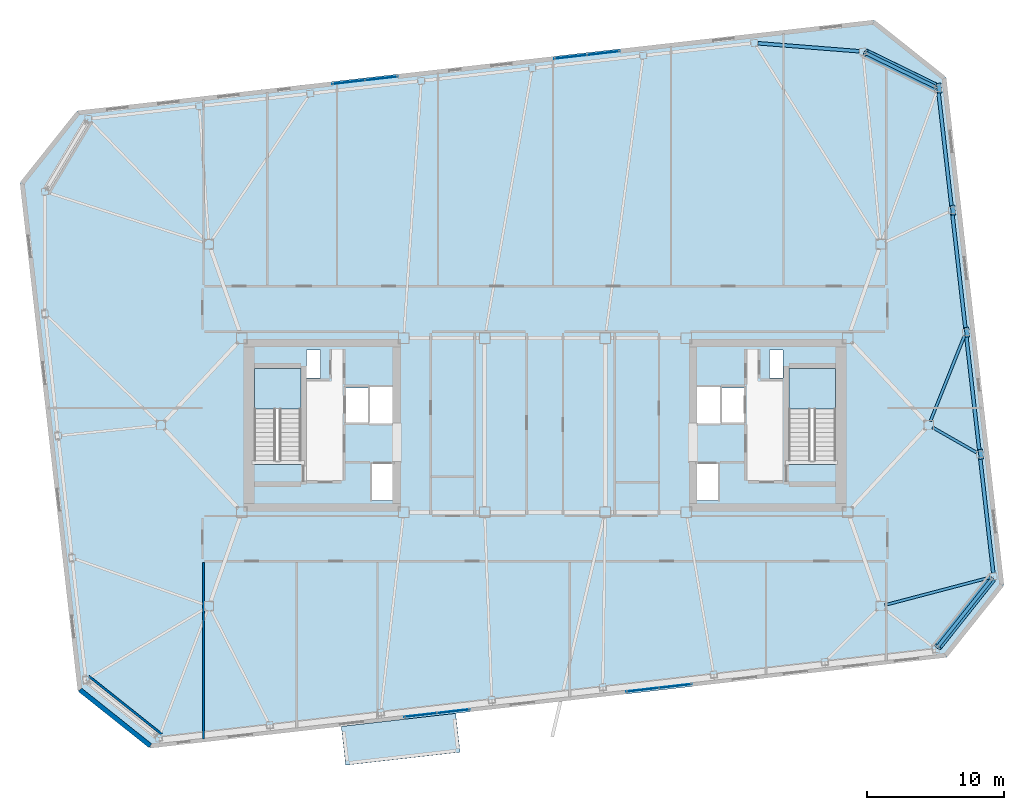
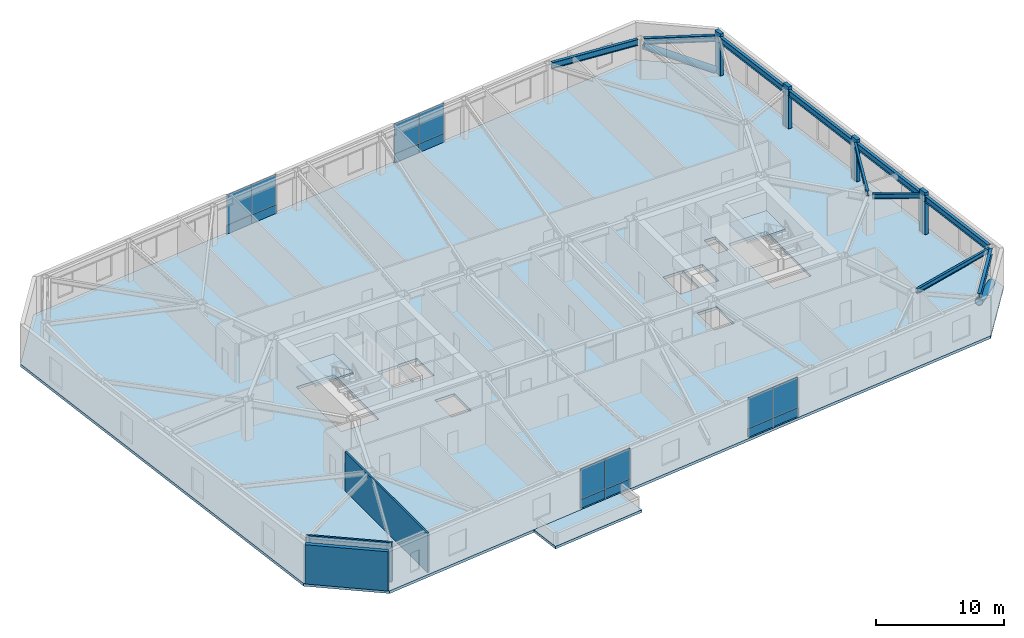
# One storey, part 11 of 18: 16 plates, 10 beams, 6 members, 4 slabs, 3 walls, 6 elements without a shape of their own.
"""IFC4 building model written with IfcOpenShell, lengths in metres."""

from ifc_helpers import new_model, si_unit, direction, frame, frame_2d, origin, origin_2d, place, context, subcontext, project, spatial, polyline, rectangle, hollow_circle, i_section, outline, extrude, material, layer, layer_set, material_profile, profile_set, type_object, element, aggregate, save


model = new_model("IFC4")

# Units and contexts
model_context = context("Model", 3, precision=1e-05, world=origin(), true_north=direction((0.0, 1.0)))
body_context = subcontext(model_context, "Body", "Model", "MODEL_VIEW")
ifc_project = project(units=[si_unit("LENGTHUNIT", "METRE"), si_unit("AREAUNIT", "SQUARE_METRE"), si_unit("VOLUMEUNIT", "CUBIC_METRE"), si_unit("PLANEANGLEUNIT", "RADIAN"), si_unit("MASSUNIT", "GRAM", prefix="KILO")], contexts=[model_context])

# Site, building, storey
site_placement = place(None, origin())
site = spatial("IfcSite", under=ifc_project, at=site_placement, CompositionType="ELEMENT")
building_placement = place(site_placement, origin())
building = spatial("IfcBuilding", under=site, at=building_placement, Name="Tavrogorsk Clinical Tower", CompositionType="ELEMENT")
storey_placement = place(building_placement, frame((0.0, 0.0, 230.199951171875)))
storey = spatial("IfcBuildingStorey", under=building, at=storey_placement, Name="L53", CompositionType="ELEMENT", Elevation=230.199951171875)

# Members
ifc_material_1 = material(Name="Structural steel S440", Category="steel")
ifc_material_profile_1 = material_profile(ifc_material_1, hollow_circle(Radius=0.304931640625, WallThickness=0.02490234375, at=origin_2d()), Name="CHS-610x25")
ifc_profile_set_1 = profile_set([ifc_material_profile_1], Name="Structural steel S440")
member_type_1 = type_object("IfcMemberType", Name="ExoBrace_CHS610", PredefinedType="BRACE", material=ifc_profile_set_1)
member_1_placement = place(storey_placement, frame((32.5859375, -11.2197265625, 0.398193359375), z_axis=(-0.575789482159, -0.723851679348, 0.380138420237), x_axis=(0.782601910855, -0.622522488852, 0.0)))
element("IfcMember", 1, at=member_1_placement, inside=storey, type_object=member_type_1, Name="L53 Corner Exoskeleton Brace S8-E1", PredefinedType="BRACE", context=body_context, shape_type="SweptSolid", body=[
    extrude(hollow_circle(Radius=0.304931640625, WallThickness=0.02490234375, at=origin_2d()), origin(), (0.0, 0.0, 1.0), 6.8232421875),
])
member_2_placement = place(storey_placement, frame((28.46630859375, 24.679443359375, 0.4072265625), z_axis=(-0.817526882464, 0.398699450942, 0.41555811178), x_axis=(-0.438340015424, -0.898809229413, 0.0)))
element("IfcMember", 2, at=member_2_placement, inside=storey, type_object=member_type_1, Name="L53 Corner Exoskeleton Brace E5-N1", PredefinedType="BRACE", context=body_context, shape_type="SweptSolid", body=[
    extrude(hollow_circle(Radius=0.304931640625, WallThickness=0.02490234375, at=origin_2d()), origin(), (0.0, 0.0, 1.0), 6.1982421875),
])

# Beams
ifc_material_2 = material(Name="Structural steel S355", Category="steel")
ifc_material_profile_2 = material_profile(ifc_material_2, i_section(OverallWidth=0.199951171875, OverallDepth=0.449951171875, WebThickness=0.011474609375, FlangeThickness=0.01806640625, at=origin_2d()), Name="B-450x200x11.5x18")
ifc_profile_set_2 = profile_set([ifc_material_profile_2], Name="Structural steel S355")
beam_type_1 = type_object("IfcBeamType", Name="FloorBeam_B450", PredefinedType="BEAM", material=ifc_profile_set_2)
beam_1_placement = place(storey_placement, frame((24.7998046875, -13.12109375, 3.51513671875), z_axis=(0.967072149487, 0.254502372652, 0.0), x_axis=(-0.254502372652, 0.967072149487, 0.0)))
element("IfcBeam", 3, at=beam_1_placement, inside=storey, type_object=beam_type_1, Name="L53 Radial Floor Beam E1", PredefinedType="BEAM", context=body_context, shape_type="SweptSolid", body=[
    extrude(i_section(OverallWidth=0.199951171875, OverallDepth=0.449951171875, WebThickness=0.011474609375, FlangeThickness=0.01806640625, at=origin_2d()), origin(), (0.0, 0.0, 1.0), 7.94677734375),
])
beam_2_placement = place(storey_placement, frame((28.26904296875, -0.154052734375, 3.51513671875), z_axis=(0.867782232017, -0.49694466271, 0.0), x_axis=(0.49694466271, 0.867782232017, 0.0)))
element("IfcBeam", 4, at=beam_2_placement, inside=storey, type_object=beam_type_1, Name="L53 Radial Floor Beam E2", PredefinedType="BEAM", context=body_context, shape_type="SweptSolid", body=[
    extrude(i_section(OverallWidth=0.199951171875, OverallDepth=0.449951171875, WebThickness=0.011474609375, FlangeThickness=0.01806640625, at=origin_2d()), origin(), (0.0, 0.0, 1.0), 3.718994140625),
])
beam_3_placement = place(storey_placement, frame((28.114990234375, 0.287841796875, 3.51513671875), z_axis=(0.371052625529, 0.928611839838, 0.0), x_axis=(-0.928611839838, 0.371052625529, 0.0)))
element("IfcBeam", 5, at=beam_3_placement, inside=storey, type_object=beam_type_1, Name="L53 Radial Floor Beam E3", PredefinedType="BEAM", context=body_context, shape_type="SweptSolid", body=[
    extrude(i_section(OverallWidth=0.199951171875, OverallDepth=0.449951171875, WebThickness=0.011474609375, FlangeThickness=0.01806640625, at=origin_2d()), origin(), (0.0, 0.0, 1.0), 6.724365234375),
])

# Members
ifc_material_3 = material(Name="Precast concrete B45 with limestone cladding", Category="masonry")
ifc_material_profile_3 = material_profile(ifc_material_3, rectangle(XDim=0.320068359375, YDim=0.719970703125, at=origin_2d()), Name="LIMESTONE-FIN-320x720")
ifc_profile_set_3 = profile_set([ifc_material_profile_3], Name="Precast concrete B45 with limestone cladding")
member_type_2 = type_object("IfcMemberType", Name="LimestonePleatFin_320x720", PredefinedType="USERDEFINED", material=ifc_profile_set_3)
for number, where, z_axis, x_axis, name in (
    (6, (31.799560546875, -2.121337890625, 0.0), (0.0, 0.0, 1.0), (0.993571855677, 0.113203213768, 0.0), "L53 E Pleated Stone Fin 1"),
    (7, (30.785400390625, 6.781005859375, 0.0), (0.0, 0.0, 1.0), (0.993571855677, 0.113203213768, 0.0), "L53 E Pleated Stone Fin 2"),
    (8, (29.77099609375, 15.683349609375, 0.0), (0.0, 0.0, 1.0), (0.993571855677, 0.113203213768, 0.0), "L53 E Pleated Stone Fin 3"),
    (9, (28.756591796875, 24.585693359375, 0.0), (0.0, 0.0, 1.0), (0.993571855677, 0.113203213768, 0.0), "L53 E Pleated Stone Fin 4"),
):
    element("IfcMember", number, at=place(storey_placement, frame(where, z_axis=z_axis, x_axis=x_axis)), inside=storey, type_object=member_type_2, Name=name, ObjectType="FIN", PredefinedType="USERDEFINED", context=body_context, shape_type="SweptSolid", body=[
        extrude(rectangle(XDim=0.320068359375, YDim=0.719970703125, at=origin_2d()), origin(), (0.0, 0.0, 1.0), 4.0),
    ])

# Beams
ifc_material_4 = material(Name="Structural steel S390", Category="steel")
ifc_material_profile_4 = material_profile(ifc_material_4, i_section(OverallWidth=0.260009765625, OverallDepth=0.60009765625, WebThickness=0.014892578125, FlangeThickness=0.02392578125, at=origin_2d()), Name="B-600x260x15x24")
ifc_profile_set_4 = profile_set([ifc_material_profile_4], Name="Structural steel S390")
beam_type_2 = type_object("IfcBeamType", Name="SpandrelBeam_B600", PredefinedType="SPANDREL", material=ifc_profile_set_4)
beam_4_placement = place(storey_placement, frame((28.669189453125, -16.1435546875, 3.43994140625), z_axis=(0.622513813188, 0.782608811853, 0.0), x_axis=(-0.782608811853, 0.622513813188, 0.0)))
element("IfcBeam", 10, at=beam_4_placement, inside=storey, type_object=beam_type_2, Name="L53 Perimeter Spandrel S8-E1", PredefinedType="SPANDREL", context=body_context, shape_type="SweptSolid", body=[
    extrude(i_section(OverallWidth=0.260009765625, OverallDepth=0.60009765625, WebThickness=0.014892578125, FlangeThickness=0.02392578125, at=origin_2d()), origin(), (0.0, 0.0, 1.0), 6.272216796875),
])
for number, where, z_axis, x_axis, name in (
    (11, (32.705078125, -10.776611328125, 3.43994140625), (-0.113191877531, 0.993573147212, 0.0), (-0.993573147212, -0.113191877531, 0.0), "L53 Perimeter Spandrel E1-E2"),
    (12, (31.69091796875, -1.874267578125, 3.43994140625), (-0.113191877531, 0.993573147212, 0.0), (-0.993573147212, -0.113191877531, 0.0), "L53 Perimeter Spandrel E2-E3"),
):
    element("IfcBeam", number, at=place(storey_placement, frame(where, z_axis=z_axis, x_axis=x_axis)), inside=storey, type_object=beam_type_2, Name=name, PredefinedType="SPANDREL", context=body_context, shape_type="SweptSolid", body=[
        extrude(i_section(OverallWidth=0.260009765625, OverallDepth=0.60009765625, WebThickness=0.014892578125, FlangeThickness=0.02392578125, at=origin_2d()), origin(), (0.0, 0.0, 1.0), 8.444091796875),
    ])
for number, where, z_axis, x_axis, name in (
    (13, (30.676513671875, 7.0283203125, 3.43994140625), (-0.113195129234, 0.99357277676, 0.0), (-0.99357277676, -0.113195129234, 0.0), "L53 Perimeter Spandrel E3-E4"),
    (14, (29.662353515625, 15.9306640625, 3.43994140625), (-0.113223671813, 0.993569524563, 0.0), (-0.993569524563, -0.113223671813, 0.0), "L53 Perimeter Spandrel E4-E5"),
):
    element("IfcBeam", number, at=place(storey_placement, frame(where, z_axis=z_axis, x_axis=x_axis)), inside=storey, type_object=beam_type_2, Name=name, PredefinedType="SPANDREL", context=body_context, shape_type="SweptSolid", body=[
        extrude(i_section(OverallWidth=0.260009765625, OverallDepth=0.60009765625, WebThickness=0.014892578125, FlangeThickness=0.02392578125, at=origin_2d()), origin(), (0.0, 0.0, 1.0), 8.44384765625),
    ])
beam_5_placement = place(storey_placement, frame((28.4453125, 24.689697265625, 3.43994140625), z_axis=(-0.898811248667, 0.438335874951, 0.0), x_axis=(-0.438335874951, -0.898811248667, 0.0)))
element("IfcBeam", 15, at=beam_5_placement, inside=storey, type_object=beam_type_2, Name="L53 Perimeter Spandrel E5-N1", PredefinedType="SPANDREL", context=body_context, shape_type="SweptSolid", body=[
    extrude(i_section(OverallWidth=0.260009765625, OverallDepth=0.60009765625, WebThickness=0.014892578125, FlangeThickness=0.02392578125, at=origin_2d()), origin(), (0.0, 0.0, 1.0), 5.5908203125),
])
beam_6_placement = place(storey_placement, frame((22.930908203125, 27.273681640625, 3.43994140625), z_axis=(-0.996881705424, 0.078910489738, 0.0), x_axis=(-0.078910489738, -0.996881705424, 0.0)))
element("IfcBeam", 16, at=beam_6_placement, inside=storey, type_object=beam_type_2, Name="L53 Perimeter Spandrel N1-N2", PredefinedType="SPANDREL", context=body_context, shape_type="SweptSolid", body=[
    extrude(i_section(OverallWidth=0.260009765625, OverallDepth=0.60009765625, WebThickness=0.014892578125, FlangeThickness=0.02392578125, at=origin_2d()), origin(), (0.0, 0.0, 1.0), 7.428466796875),
])

# Curtain wall, plates
ifc_material_5 = material(Name="Anodised aluminium and triple IGU glazing", Category="aluminium")
ifc_layer_1 = layer(ifc_material_5, 0.179931640625)
ifc_layer_set_1 = layer_set([ifc_layer_1], Name="Anodised aluminium and triple IGU glazing")
curtain_wall_type_1 = type_object("IfcCurtainWallType", Name="CW3_SouthSlot", PredefinedType="NOTDEFINED", material=ifc_layer_set_1)
curtain_wall_1_placement = place(storey_placement, origin())
curtain_wall_1 = element("IfcCurtainWall", 17, at=curtain_wall_1_placement, inside=storey, type_object=curtain_wall_type_1, Name="L53 Curtain Wall CW-L53-S-SLOT-1", PredefinedType="NOTDEFINED")
ifc_material_6 = material(Name="Honed Podolsk limestone spandrel panel", Category="masonry")
ifc_layer_2 = layer(ifc_material_6, 0.080078125)
ifc_layer_set_2 = layer_set([ifc_layer_2], Name="Honed Podolsk limestone spandrel panel")
plate_type_1 = type_object("IfcPlateType", Name="CwSpandrelStonePanel_80", PredefinedType="CURTAIN_PANEL", material=ifc_layer_set_2)
plate_1_placement = place(storey_placement, frame((-9.066650390625, -21.139892578125, 0.002197265625), z_axis=(0.0, 0.0, 1.0), x_axis=(0.993571855603, 0.11320321441, 0.0)))
plate_1 = element("IfcPlate", 18, at=plate_1_placement, type_object=plate_type_1, Name="CW-L53-S-SLOT-1 Stone Spandrel Panel 1", PredefinedType="CURTAIN_PANEL", context=body_context, shape_type="SweptSolid", body=[
    extrude(rectangle(XDim=2.39208984375, YDim=0.080078125, at=origin_2d()), origin(), (0.0, 0.0, 1.0), 0.8359375),
])
plate_2_placement = place(storey_placement, frame((-6.666259765625, -20.866455078125, 0.002197265625), z_axis=(0.0, 0.0, 1.0), x_axis=(0.993571855603, 0.11320321441, 0.0)))
plate_2 = element("IfcPlate", 19, at=plate_2_placement, type_object=plate_type_1, Name="CW-L53-S-SLOT-1 Stone Spandrel Panel 2", PredefinedType="CURTAIN_PANEL", context=body_context, shape_type="SweptSolid", body=[
    extrude(rectangle(XDim=2.39208984375, YDim=0.080078125, at=origin_2d()), origin(), (0.0, 0.0, 1.0), 0.8359375),
])

curtain_wall_2_placement = place(storey_placement, origin())
curtain_wall_2 = element("IfcCurtainWall", 20, at=curtain_wall_2_placement, inside=storey, type_object=curtain_wall_type_1, Name="L53 Curtain Wall CW-L53-S-SLOT-2", PredefinedType="NOTDEFINED")
plate_3_placement = place(storey_placement, frame((7.125732421875, -19.294921875, 0.002197265625), z_axis=(0.0, 0.0, 1.0), x_axis=(0.993571855603, 0.11320321441, 0.0)))
plate_3 = element("IfcPlate", 21, at=plate_3_placement, type_object=plate_type_1, Name="CW-L53-S-SLOT-2 Stone Spandrel Panel 1", PredefinedType="CURTAIN_PANEL", context=body_context, shape_type="SweptSolid", body=[
    extrude(rectangle(XDim=2.39208984375, YDim=0.080078125, at=origin_2d()), origin(), (0.0, 0.0, 1.0), 0.8359375),
])
plate_4_placement = place(storey_placement, frame((9.526123046875, -19.021484375, 0.002197265625), z_axis=(0.0, 0.0, 1.0), x_axis=(0.993571855603, 0.11320321441, 0.0)))
plate_4 = element("IfcPlate", 22, at=plate_4_placement, type_object=plate_type_1, Name="CW-L53-S-SLOT-2 Stone Spandrel Panel 2", PredefinedType="CURTAIN_PANEL", context=body_context, shape_type="SweptSolid", body=[
    extrude(rectangle(XDim=2.39208984375, YDim=0.080078125, at=origin_2d()), origin(), (0.0, 0.0, 1.0), 0.8359375),
])

ifc_material_7 = material(Name="Anodised aluminium and triple IGU glazing", Category="aluminium")
ifc_layer_3 = layer(ifc_material_7, 0.179931640625)
ifc_layer_set_3 = layer_set([ifc_layer_3], Name="Anodised aluminium and triple IGU glazing")
curtain_wall_type_2 = type_object("IfcCurtainWallType", Name="CW2_NorthSlot", PredefinedType="NOTDEFINED", material=ifc_layer_set_3)
curtain_wall_3_placement = place(storey_placement, origin())
curtain_wall_3 = element("IfcCurtainWall", 23, at=curtain_wall_3_placement, inside=storey, type_object=curtain_wall_type_2, Name="L53 Curtain Wall CW-L53-N-SLOT-1", PredefinedType="NOTDEFINED")
plate_5_placement = place(storey_placement, frame((-11.92578125, 25.294921875, 0.002197265625), z_axis=(0.0, 0.0, 1.0), x_axis=(-0.993571855603, -0.11320321441, 0.0)))
plate_5 = element("IfcPlate", 24, at=plate_5_placement, type_object=plate_type_1, Name="CW-L53-N-SLOT-1 Stone Spandrel Panel 1", PredefinedType="CURTAIN_PANEL", context=body_context, shape_type="SweptSolid", body=[
    extrude(rectangle(XDim=2.39208984375, YDim=0.080078125, at=origin_2d()), origin(), (0.0, 0.0, 1.0), 0.8359375),
])
plate_6_placement = place(storey_placement, frame((-14.326171875, 25.021484375, 0.002197265625), z_axis=(0.0, 0.0, 1.0), x_axis=(-0.993571855603, -0.11320321441, 0.0)))
plate_6 = element("IfcPlate", 25, at=plate_6_placement, type_object=plate_type_1, Name="CW-L53-N-SLOT-1 Stone Spandrel Panel 2", PredefinedType="CURTAIN_PANEL", context=body_context, shape_type="SweptSolid", body=[
    extrude(rectangle(XDim=2.39208984375, YDim=0.080078125, at=origin_2d()), origin(), (0.0, 0.0, 1.0), 0.8359375),
])

curtain_wall_4_placement = place(storey_placement, origin())
curtain_wall_4 = element("IfcCurtainWall", 26, at=curtain_wall_4_placement, inside=storey, type_object=curtain_wall_type_2, Name="L53 Curtain Wall CW-L53-N-SLOT-2", PredefinedType="NOTDEFINED")
plate_7_placement = place(storey_placement, frame((4.266845703125, 27.139892578125, 0.002197265625), z_axis=(0.0, 0.0, 1.0), x_axis=(-0.993571855603, -0.11320321441, 0.0)))
plate_7 = element("IfcPlate", 27, at=plate_7_placement, type_object=plate_type_1, Name="CW-L53-N-SLOT-2 Stone Spandrel Panel 1", PredefinedType="CURTAIN_PANEL", context=body_context, shape_type="SweptSolid", body=[
    extrude(rectangle(XDim=2.39208984375, YDim=0.080078125, at=origin_2d()), origin(), (0.0, 0.0, 1.0), 0.8359375),
])
plate_8_placement = place(storey_placement, frame((1.8662109375, 26.866455078125, 0.002197265625), z_axis=(0.0, 0.0, 1.0), x_axis=(-0.993571855603, -0.11320321441, 0.0)))
plate_8 = element("IfcPlate", 28, at=plate_8_placement, type_object=plate_type_1, Name="CW-L53-N-SLOT-2 Stone Spandrel Panel 2", PredefinedType="CURTAIN_PANEL", context=body_context, shape_type="SweptSolid", body=[
    extrude(rectangle(XDim=2.39208984375, YDim=0.080078125, at=origin_2d()), origin(), (0.0, 0.0, 1.0), 0.8359375),
])

# Plate
ifc_material_8 = material(Name="Triple low-E argon insulated glass", Category="glass")
ifc_layer_4 = layer(ifc_material_8, 0.048095703125)
ifc_layer_set_4 = layer_set([ifc_layer_4], Name="Triple low-E argon insulated glass")
plate_type_2 = type_object("IfcPlateType", Name="CwVisionGlassPanel_48", PredefinedType="CURTAIN_PANEL", material=ifc_layer_set_4)
plate_9_placement = place(storey_placement, frame((-9.066650390625, -21.139892578125, 0.862060546875), z_axis=(0.0, 0.0, 1.0), x_axis=(0.993571855603, 0.11320321441, 0.0)))
plate_9 = element("IfcPlate", 29, at=plate_9_placement, type_object=plate_type_2, Name="CW-L53-S-SLOT-1 Glazing Panel 1", PredefinedType="CURTAIN_PANEL", context=body_context, shape_type="SweptSolid", body=[
    extrude(rectangle(XDim=2.39208984375, YDim=0.048095703125, at=origin_2d()), origin(), (0.0, 0.0, 1.0), 2.8759765625),
])

plate_10_placement = place(storey_placement, frame((-6.666259765625, -20.866455078125, 0.862060546875), z_axis=(0.0, 0.0, 1.0), x_axis=(0.993571855603, 0.11320321441, 0.0)))
plate_10 = element("IfcPlate", 30, at=plate_10_placement, type_object=plate_type_2, Name="CW-L53-S-SLOT-1 Glazing Panel 2", PredefinedType="CURTAIN_PANEL", context=body_context, shape_type="SweptSolid", body=[
    extrude(rectangle(XDim=2.39208984375, YDim=0.048095703125, at=origin_2d()), origin(), (0.0, 0.0, 1.0), 2.8759765625),
])

aggregate(curtain_wall_1, [plate_1, plate_9, plate_2, plate_10])

plate_11_placement = place(storey_placement, frame((7.125732421875, -19.294921875, 0.862060546875), z_axis=(0.0, 0.0, 1.0), x_axis=(0.993571855603, 0.11320321441, 0.0)))
plate_11 = element("IfcPlate", 31, at=plate_11_placement, type_object=plate_type_2, Name="CW-L53-S-SLOT-2 Glazing Panel 1", PredefinedType="CURTAIN_PANEL", context=body_context, shape_type="SweptSolid", body=[
    extrude(rectangle(XDim=2.39208984375, YDim=0.048095703125, at=origin_2d()), origin(), (0.0, 0.0, 1.0), 2.8759765625),
])

plate_12_placement = place(storey_placement, frame((9.526123046875, -19.021484375, 0.862060546875), z_axis=(0.0, 0.0, 1.0), x_axis=(0.993571855603, 0.11320321441, 0.0)))
plate_12 = element("IfcPlate", 32, at=plate_12_placement, type_object=plate_type_2, Name="CW-L53-S-SLOT-2 Glazing Panel 2", PredefinedType="CURTAIN_PANEL", context=body_context, shape_type="SweptSolid", body=[
    extrude(rectangle(XDim=2.39208984375, YDim=0.048095703125, at=origin_2d()), origin(), (0.0, 0.0, 1.0), 2.8759765625),
])

aggregate(curtain_wall_2, [plate_3, plate_11, plate_4, plate_12])

plate_13_placement = place(storey_placement, frame((-11.92578125, 25.294921875, 0.862060546875), z_axis=(0.0, 0.0, 1.0), x_axis=(-0.993571855603, -0.11320321441, 0.0)))
plate_13 = element("IfcPlate", 33, at=plate_13_placement, type_object=plate_type_2, Name="CW-L53-N-SLOT-1 Glazing Panel 1", PredefinedType="CURTAIN_PANEL", context=body_context, shape_type="SweptSolid", body=[
    extrude(rectangle(XDim=2.39208984375, YDim=0.048095703125, at=origin_2d()), origin(), (0.0, 0.0, 1.0), 2.8759765625),
])

plate_14_placement = place(storey_placement, frame((-14.326171875, 25.021484375, 0.862060546875), z_axis=(0.0, 0.0, 1.0), x_axis=(-0.993571855603, -0.11320321441, 0.0)))
plate_14 = element("IfcPlate", 34, at=plate_14_placement, type_object=plate_type_2, Name="CW-L53-N-SLOT-1 Glazing Panel 2", PredefinedType="CURTAIN_PANEL", context=body_context, shape_type="SweptSolid", body=[
    extrude(rectangle(XDim=2.39208984375, YDim=0.048095703125, at=origin_2d()), origin(), (0.0, 0.0, 1.0), 2.8759765625),
])

aggregate(curtain_wall_3, [plate_5, plate_13, plate_6, plate_14])

plate_15_placement = place(storey_placement, frame((4.266845703125, 27.139892578125, 0.862060546875), z_axis=(0.0, 0.0, 1.0), x_axis=(-0.993571855603, -0.11320321441, 0.0)))
plate_15 = element("IfcPlate", 35, at=plate_15_placement, type_object=plate_type_2, Name="CW-L53-N-SLOT-2 Glazing Panel 1", PredefinedType="CURTAIN_PANEL", context=body_context, shape_type="SweptSolid", body=[
    extrude(rectangle(XDim=2.39208984375, YDim=0.048095703125, at=origin_2d()), origin(), (0.0, 0.0, 1.0), 2.8759765625),
])

plate_16_placement = place(storey_placement, frame((1.8662109375, 26.866455078125, 0.862060546875), z_axis=(0.0, 0.0, 1.0), x_axis=(-0.993571855603, -0.11320321441, 0.0)))
plate_16 = element("IfcPlate", 36, at=plate_16_placement, type_object=plate_type_2, Name="CW-L53-N-SLOT-2 Glazing Panel 2", PredefinedType="CURTAIN_PANEL", context=body_context, shape_type="SweptSolid", body=[
    extrude(rectangle(XDim=2.39208984375, YDim=0.048095703125, at=origin_2d()), origin(), (0.0, 0.0, 1.0), 2.8759765625),
])

aggregate(curtain_wall_4, [plate_7, plate_15, plate_8, plate_16])

# Slab
ifc_material_9 = material(Name="Concrete B60", Category="concrete")
ifc_layer_5 = layer(ifc_material_9, 0.239990234375)
ifc_layer_set_5 = layer_set([ifc_layer_5], Name="Concrete B60")
slab_type_1 = type_object("IfcSlabType", Name="DayroomSlab_240", PredefinedType="FLOOR", material=ifc_layer_set_5)
slab_1_placement = place(storey_placement, frame((0.0, 0.0, -0.239990234375)))
element("IfcSlab", 37, at=slab_1_placement, inside=storey, type_object=slab_type_1, Name="L53 Day-Room Box Roof DRB-07", PredefinedType="ROOF", context=body_context, shape_type="SweptSolid", body=[
    extrude(outline(polyline([(-6.184814453125, -23.85107421875), (-14.53076171875, -24.802001953125), (-14.853271484375, -21.97021484375), (-6.50732421875, -21.019287109375), (-6.184814453125, -23.85107421875)])), origin(), (0.0, 0.0, 1.0), 0.239990234375),
])

# Stair, slab
ifc_material_10 = material(Name="Concrete B60", Category="concrete")
stair_type = type_object("IfcStairType", Name="CoreStairAssembly", PredefinedType="HALF_TURN_STAIR", material=ifc_material_10)
stair_1_placement = place(storey_placement, origin())
stair_1 = element("IfcStair", 38, at=stair_1_placement, inside=storey, type_object=stair_type, Name="L53 ST-W", PredefinedType="HALF_TURN_STAIR")
ifc_material_11 = material(Name="Concrete B60", Category="concrete")
ifc_layer_6 = layer(ifc_material_11, 0.199951171875)
ifc_layer_set_6 = layer_set([ifc_layer_6], Name="Concrete B60")
slab_type_2 = type_object("IfcSlabType", Name="StairLanding_200", PredefinedType="LANDING", material=ifc_layer_set_6)
slab_2_placement = place(storey_placement, frame((0.0, 0.0, 1.800048828125)))
slab_2 = element("IfcSlab", 39, at=slab_2_placement, type_object=slab_type_2, Name="ST-W landing 1", PredefinedType="LANDING", context=body_context, shape_type="SweptSolid", body=[
    extrude(outline(polyline([(-17.800048828125, 1.1650390625), (-17.800048828125, 4.125), (-21.199951171875, 4.125), (-21.199951171875, 1.1650390625), (-17.800048828125, 1.1650390625)])), origin(), (0.0, 0.0, 1.0), 0.199951171875),
])
aggregate(stair_1, [slab_2])

stair_2_placement = place(storey_placement, origin())
stair_2 = element("IfcStair", 40, at=stair_2_placement, inside=storey, type_object=stair_type, Name="L53 ST-E", PredefinedType="HALF_TURN_STAIR")
slab_3_placement = place(storey_placement, frame((0.0, 0.0, 1.800048828125)))
slab_3 = element("IfcSlab", 41, at=slab_3_placement, type_object=slab_type_2, Name="ST-E landing 1", PredefinedType="LANDING", context=body_context, shape_type="SweptSolid", body=[
    extrude(outline(polyline([(21.199951171875, 1.1650390625), (21.199951171875, 4.125), (17.800048828125, 4.125), (17.800048828125, 1.1650390625), (21.199951171875, 1.1650390625)])), origin(), (0.0, 0.0, 1.0), 0.199951171875),
])
aggregate(stair_2, [slab_3])

# Slab
ifc_material_12 = material(Name="Concrete B60", Category="concrete")
ifc_layer_7 = layer(ifc_material_12, 0.260009765625)
ifc_layer_set_7 = layer_set([ifc_layer_7], Name="Concrete B60")
slab_type_3 = type_object("IfcSlabType", Name="WardSlab_260", PredefinedType="FLOOR", material=ifc_layer_set_7)
slab_4_placement = place(storey_placement, frame((0.0, 0.0, -0.260009765625)))
element("IfcSlab", 42, at=slab_4_placement, inside=storey, type_object=slab_type_3, Name="L53 Structural Slab", PredefinedType="FLOOR", context=body_context, shape_type="SweptSolid", body=[
    extrude(outline(polyline([(-28.76318359375, -23.55517578125), (29.26123046875, -16.944091796875), (33.487060546875, -11.631591796875), (29.27587890625, 25.329345703125), (23.96337890625, 29.55517578125), (-34.061279296875, 22.944091796875), (-38.287109375, 17.631591796875), (-34.075927734375, -19.329345703125), (-28.76318359375, -23.55517578125)]), holes=[polyline([(-17.800048828125, -2.8798828125), (-17.800048828125, 4.125), (-21.199951171875, 4.125), (-21.199951171875, -2.8798828125), (-17.800048828125, -2.8798828125)]), polyline([(21.199951171875, -2.8798828125), (21.199951171875, 4.125), (17.800048828125, 4.125), (17.800048828125, -2.8798828125), (21.199951171875, -2.8798828125)]), polyline([(-14.6201171875, 0.169921875), (-12.860107421875, 0.169921875), (-12.860107421875, 2.72998046875), (-14.6201171875, 2.72998046875), (-14.6201171875, 0.169921875)]), polyline([(-12.72998046875, -5.47998046875), (-10.969970703125, -5.47998046875), (-10.969970703125, -2.820068359375), (-12.72998046875, -2.820068359375), (-12.72998046875, -5.47998046875)]), polyline([(-12.840087890625, 0.1201171875), (-11.080078125, 0.1201171875), (-11.080078125, 2.780029296875), (-12.840087890625, 2.780029296875), (-12.840087890625, 0.1201171875)]), polyline([(12.860107421875, 0.169921875), (14.6201171875, 0.169921875), (14.6201171875, 2.72998046875), (12.860107421875, 2.72998046875), (12.860107421875, 0.169921875)]), polyline([(10.969970703125, -5.47998046875), (12.72998046875, -5.47998046875), (12.72998046875, -2.820068359375), (10.969970703125, -2.820068359375), (10.969970703125, -5.47998046875)]), polyline([(11.080078125, 0.1201171875), (12.840087890625, 0.1201171875), (12.840087890625, 2.780029296875), (11.080078125, 2.780029296875), (11.080078125, 0.1201171875)]), polyline([(-17.3798828125, 3.449951171875), (-16.3798828125, 3.449951171875), (-16.3798828125, 5.5), (-17.3798828125, 5.5), (-17.3798828125, 3.449951171875)]), polyline([(16.3798828125, 3.449951171875), (17.3798828125, 3.449951171875), (17.3798828125, 5.5), (16.3798828125, 5.5), (16.3798828125, 3.449951171875)])]), origin(), (0.0, 0.0, 1.0), 0.260009765625),
])

# Walls
ifc_material_13 = material(Name="Lightweight concrete blockwork B15", Category="masonry")
ifc_layer_8 = layer(ifc_material_13, 0.159912109375)
ifc_layer_set_8 = layer_set([ifc_layer_8], Name="Lightweight concrete blockwork B15")
wall_type_1 = type_object("IfcWallType", Name="PartitionWall_160", PredefinedType="PARTITIONING", material=ifc_layer_set_8)
wall_1_placement = place(storey_placement, frame((-33.265380859375, -18.310546875, 0.0), z_axis=(0.0, 0.0, 1.0), x_axis=(0.782602647064, -0.622521563328, 0.0)))
element("IfcWall", 43, at=wall_1_placement, inside=storey, type_object=wall_type_1, Name="L53 Corner Exoskeleton Brace Furring Wall 4", PredefinedType="PARTITIONING", context=body_context, shape_type="SweptSolid", body=[
    extrude(rectangle(XDim=6.788330078125, YDim=0.159912109375, at=frame_2d((3.39404296875, 0.0))), origin(), (0.0, 0.0, 1.0), 3.739990234375),
])
wall_2_placement = place(storey_placement, frame((-24.89990234375, -22.873291015625, 0.0), z_axis=(0.0, 0.0, 1.0), x_axis=(0.0, 1.0, 0.0)))
element("IfcWall", 44, at=wall_2_placement, inside=storey, type_object=wall_type_1, Name="L53 SW Wing Closure Partition", PredefinedType="PARTITIONING", context=body_context, shape_type="SweptSolid", body=[
    extrude(rectangle(XDim=12.8583984375, YDim=0.159912109375, at=frame_2d((6.42919921875, 0.0))), origin(), (0.0, 0.0, 1.0), 3.739990234375),
])
ifc_material_14 = material(Name="Precast concrete B45 with limestone cladding", Category="masonry")
ifc_layer_9 = layer(ifc_material_14, 0.340087890625)
ifc_layer_set_9 = layer_set([ifc_layer_9], Name="Precast concrete B45 with limestone cladding")
wall_type_2 = type_object("IfcWallType", Name="PrecastLimestoneWall_340", PredefinedType="STANDARD", material=ifc_layer_set_9)
wall_3_placement = place(storey_placement, frame((-33.906982421875, -19.31005859375, 0.0), z_axis=(0.0, 0.0, 1.0), x_axis=(0.782611787794, -0.622510071892, 0.0)))
element("IfcWall", 45, at=wall_3_placement, inside=storey, type_object=wall_type_2, Name="L53 Chamfered Corner Wall 4", PredefinedType="STANDARD", context=body_context, shape_type="SweptSolid", body=[
    extrude(rectangle(XDim=6.5478515625, YDim=0.340087890625, at=frame_2d((3.27392578125, 0.0))), origin(), (0.0, 0.0, 1.0), 3.739990234375),
])

save(model, "model.ifc")
